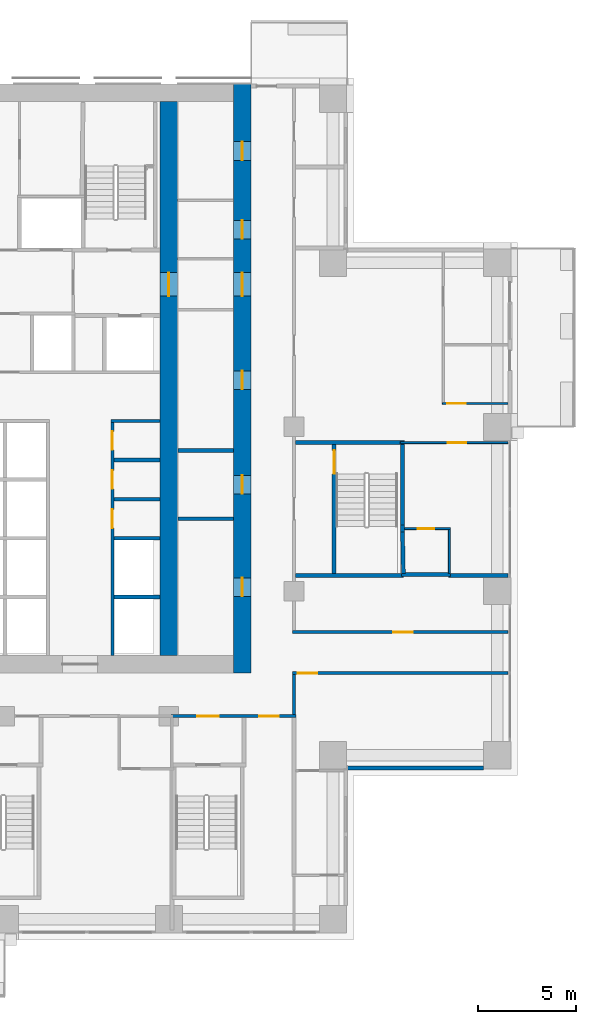
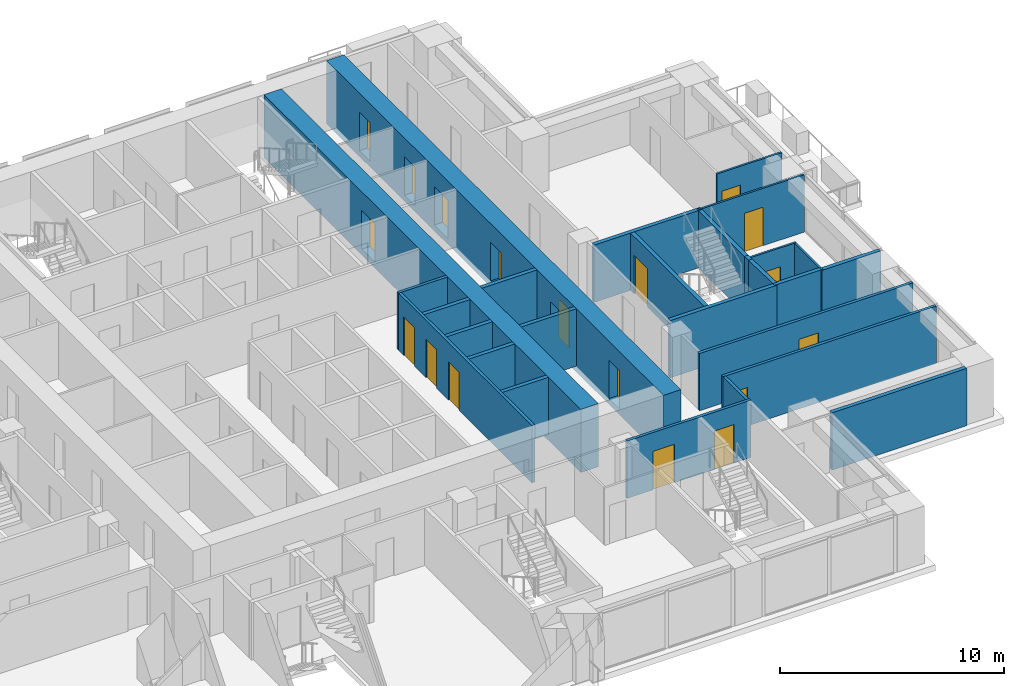
# One storey, part 9 of 16: 27 walls, 18 doors, 18 openings.
"""IFC4 building model written with IfcOpenShell, lengths in metres."""

from ifc_helpers import new_model, si_unit, direction, frame, frame_2d, origin, place, context, subcontext, project, spatial, rectangle, extrude, material, layer, layer_set, type_object, element, fill, save


model = new_model("IFC4")

# Units and contexts
model_context = context("Model", 3, precision=1e-05, world=origin(), true_north=direction((0.0, 1.0)))
body_context = subcontext(model_context, "Body", "Model", "MODEL_VIEW")
ifc_project = project(units=[si_unit("LENGTHUNIT", "METRE"), si_unit("AREAUNIT", "SQUARE_METRE"), si_unit("VOLUMEUNIT", "CUBIC_METRE"), si_unit("PLANEANGLEUNIT", "RADIAN"), si_unit("MASSUNIT", "GRAM", prefix="KILO")], contexts=[model_context])

# Site, building, storey
site_placement = place(None, origin())
site = spatial("IfcSite", under=ifc_project, at=site_placement, CompositionType="ELEMENT")
building_placement = place(site_placement, origin())
building = spatial("IfcBuilding", under=site, at=building_placement, Name="Vermilion Ogive Tower", CompositionType="ELEMENT")
storey_placement = place(building_placement, frame((0.0, 0.0, 44.85009765625)))
storey = spatial("IfcBuildingStorey", under=building, at=storey_placement, Name="L09", CompositionType="ELEMENT", Elevation=44.85009765625)

# Wall, openings, doors
ifc_material_1 = material(Name="Concrete B80", Category="concrete")
ifc_layer_1 = layer(ifc_material_1, 0.89990234375)
ifc_layer_set_1 = layer_set([ifc_layer_1], Name="Core wall 900 B80")
wall_type_1 = type_object("IfcWallType", Name="Core wall 900 B80", PredefinedType="SHEAR", material=ifc_layer_set_1)
wall_1_placement = place(storey_placement, frame((12.14990234375, -8.39990234375, -0.320068359375), z_axis=(0.0, 0.0, 1.0), x_axis=(0.0, 1.0, 0.0)))
wall_1 = element("IfcWall", 1, at=wall_1_placement, inside=storey, type_object=wall_type_1, Name="L09-CORE-E", PredefinedType="SHEAR", context=body_context, shape_type="SweptSolid", body=[
    extrude(rectangle(XDim=30.14990234375, YDim=0.89990234375, at=frame_2d((15.074951171875, 0.0))), origin(), (0.0, 0.0, 1.0), 3.449951171875),
])
opening_1_placement = place(wall_1_placement, frame((3.925048828125, 0.0, 0.320068359375)))
opening_1 = element("IfcOpeningElement", 2, at=opening_1_placement, cuts=wall_1, Name="Opening DAC007", PredefinedType="OPENING", context=body_context, shape_type="SweptSolid", body=[
    extrude(rectangle(XDim=0.949951171875, YDim=2.10009765625, at=frame_2d((0.47509765625, 1.050048828125))), frame((0.0, 0.4599609375, 0.0), z_axis=(0.0, -1.0, 0.0), x_axis=(1.0, 0.0, 0.0)), (0.0, 0.0, 1.0), 0.919921875),
])
opening_2_placement = place(wall_1_placement, frame((9.175048828125, 0.0, 0.320068359375)))
opening_2 = element("IfcOpeningElement", 3, at=opening_2_placement, cuts=wall_1, Name="Opening DAC008", PredefinedType="OPENING", context=body_context, shape_type="SweptSolid", body=[
    extrude(rectangle(XDim=0.949951171875, YDim=2.10009765625, at=frame_2d((0.47509765625, 1.050048828125))), frame((0.0, 0.4599609375, 0.0), z_axis=(0.0, -1.0, 0.0), x_axis=(1.0, 0.0, 0.0)), (0.0, 0.0, 1.0), 0.919921875),
])
opening_3_placement = place(wall_1_placement, frame((14.52490234375, 0.0, 0.320068359375)))
opening_3 = element("IfcOpeningElement", 4, at=opening_3_placement, cuts=wall_1, Name="Opening DAC009", PredefinedType="OPENING", context=body_context, shape_type="SweptSolid", body=[
    extrude(rectangle(XDim=0.949951171875, YDim=2.10009765625, at=frame_2d((0.47509765625, 1.050048828125))), frame((0.0, 0.4599609375, 0.0), z_axis=(0.0, -1.0, 0.0), x_axis=(1.0, 0.0, 0.0)), (0.0, 0.0, 1.0), 0.919921875),
])
opening_4_placement = place(wall_1_placement, frame((22.22509765625, 0.0, 0.320068359375)))
opening_4 = element("IfcOpeningElement", 5, at=opening_4_placement, cuts=wall_1, Name="Opening DAC010", PredefinedType="OPENING", context=body_context, shape_type="SweptSolid", body=[
    extrude(rectangle(XDim=0.949951171875, YDim=2.10009765625, at=frame_2d((0.47509765625, 1.050048828125))), frame((0.0, 0.4599609375, 0.0), z_axis=(0.0, -1.0, 0.0), x_axis=(1.0, 0.0, 0.0)), (0.0, 0.0, 1.0), 0.919921875),
])
opening_5_placement = place(wall_1_placement, frame((26.25, 0.0, 0.320068359375)))
opening_5 = element("IfcOpeningElement", 6, at=opening_5_placement, cuts=wall_1, Name="Opening DAC011", PredefinedType="OPENING", context=body_context, shape_type="SweptSolid", body=[
    extrude(rectangle(XDim=0.949951171875, YDim=2.10009765625, at=frame_2d((0.47509765625, 1.050048828125))), frame((0.0, 0.4599609375, 0.0), z_axis=(0.0, -1.0, 0.0), x_axis=(1.0, 0.0, 0.0)), (0.0, 0.0, 1.0), 0.919921875),
])
opening_6_placement = place(wall_1_placement, frame((19.300048828125, 0.0, 0.320068359375)))
opening_6 = element("IfcOpeningElement", 7, at=opening_6_placement, cuts=wall_1, Name="Opening DAL002", PredefinedType="OPENING", context=body_context, shape_type="SweptSolid", body=[
    extrude(rectangle(XDim=1.199951171875, YDim=2.10009765625, at=frame_2d((0.60009765625, 1.050048828125))), frame((0.0, 0.4599609375, 0.0), z_axis=(0.0, -1.0, 0.0), x_axis=(1.0, 0.0, 0.0)), (0.0, 0.0, 1.0), 0.919921875),
])
ifc_material_2 = material(Name="Timber door leaf", Category="wood")
door_type_1 = type_object("IfcDoorType", Name="Link door 1200 x 2100 FD60S", OperationType="SINGLE_SWING_LEFT", PredefinedType="DOOR", material=ifc_material_2)
door_1_placement = place(opening_6_placement, origin())
door_1 = element("IfcDoor", 8, at=door_1_placement, inside=storey, type_object=door_type_1, Name="L09-CKE-XL", OperationType="SINGLE_SWING_LEFT", OverallHeight=2.10009765625, OverallWidth=1.199951171875, PredefinedType="DOOR", context=body_context, shape_type="SweptSolid", body=[
    extrude(rectangle(XDim=1.199951171875, YDim=2.10009765625, at=frame_2d((0.60009765625, 1.050048828125))), frame((0.0, 0.02490234375, 0.0), z_axis=(0.0, -1.0, 0.0), x_axis=(1.0, 0.0, 0.0)), (0.0, 0.0, 1.0), 0.050048828125),
])
fill(opening_6, door_1)
ifc_material_3 = material(Name="Timber door leaf", Category="wood")
door_type_2 = type_object("IfcDoorType", Name="Service door 950 x 2100 FD60", OperationType="SINGLE_SWING_LEFT", PredefinedType="DOOR", material=ifc_material_3)
door_2_placement = place(opening_1_placement, origin())
door_2 = element("IfcDoor", 9, at=door_2_placement, inside=storey, type_object=door_type_2, Name="L09-CKE-XR0", OperationType="SINGLE_SWING_LEFT", OverallHeight=2.10009765625, OverallWidth=0.949951171875, PredefinedType="DOOR", context=body_context, shape_type="SweptSolid", body=[
    extrude(rectangle(XDim=0.949951171875, YDim=2.10009765625, at=frame_2d((0.47509765625, 1.050048828125))), frame((0.0, 0.02490234375, 0.0), z_axis=(0.0, -1.0, 0.0), x_axis=(1.0, 0.0, 0.0)), (0.0, 0.0, 1.0), 0.050048828125),
])
fill(opening_1, door_2)
door_3_placement = place(opening_2_placement, origin())
door_3 = element("IfcDoor", 10, at=door_3_placement, inside=storey, type_object=door_type_2, Name="L09-CKE-XR1", OperationType="SINGLE_SWING_LEFT", OverallHeight=2.10009765625, OverallWidth=0.949951171875, PredefinedType="DOOR", context=body_context, shape_type="SweptSolid", body=[
    extrude(rectangle(XDim=0.949951171875, YDim=2.10009765625, at=frame_2d((0.47509765625, 1.050048828125))), frame((0.0, 0.02490234375, 0.0), z_axis=(0.0, -1.0, 0.0), x_axis=(1.0, 0.0, 0.0)), (0.0, 0.0, 1.0), 0.050048828125),
])
fill(opening_2, door_3)
door_4_placement = place(opening_3_placement, origin())
door_4 = element("IfcDoor", 11, at=door_4_placement, inside=storey, type_object=door_type_2, Name="L09-CKE-XR2", OperationType="SINGLE_SWING_LEFT", OverallHeight=2.10009765625, OverallWidth=0.949951171875, PredefinedType="DOOR", context=body_context, shape_type="SweptSolid", body=[
    extrude(rectangle(XDim=0.949951171875, YDim=2.10009765625, at=frame_2d((0.47509765625, 1.050048828125))), frame((0.0, 0.02490234375, 0.0), z_axis=(0.0, -1.0, 0.0), x_axis=(1.0, 0.0, 0.0)), (0.0, 0.0, 1.0), 0.050048828125),
])
fill(opening_3, door_4)
door_5_placement = place(opening_4_placement, origin())
door_5 = element("IfcDoor", 12, at=door_5_placement, inside=storey, type_object=door_type_2, Name="L09-CKE-XR3", OperationType="SINGLE_SWING_LEFT", OverallHeight=2.10009765625, OverallWidth=0.949951171875, PredefinedType="DOOR", context=body_context, shape_type="SweptSolid", body=[
    extrude(rectangle(XDim=0.949951171875, YDim=2.10009765625, at=frame_2d((0.47509765625, 1.050048828125))), frame((0.0, 0.02490234375, 0.0), z_axis=(0.0, -1.0, 0.0), x_axis=(1.0, 0.0, 0.0)), (0.0, 0.0, 1.0), 0.050048828125),
])
fill(opening_4, door_5)
door_6_placement = place(opening_5_placement, origin())
door_6 = element("IfcDoor", 13, at=door_6_placement, inside=storey, type_object=door_type_2, Name="L09-CKE-XR4", OperationType="SINGLE_SWING_LEFT", OverallHeight=2.10009765625, OverallWidth=0.949951171875, PredefinedType="DOOR", context=body_context, shape_type="SweptSolid", body=[
    extrude(rectangle(XDim=0.949951171875, YDim=2.10009765625, at=frame_2d((0.47509765625, 1.050048828125))), frame((0.0, 0.02490234375, 0.0), z_axis=(0.0, -1.0, 0.0), x_axis=(1.0, 0.0, 0.0)), (0.0, 0.0, 1.0), 0.050048828125),
])
fill(opening_5, door_6)

# Wall, opening, door
wall_2_placement = place(storey_placement, frame((8.39990234375, -7.5, -0.320068359375), z_axis=(0.0, 0.0, 1.0), x_axis=(0.0, 1.0, 0.0)))
wall_2 = element("IfcWall", 14, at=wall_2_placement, inside=storey, type_object=wall_type_1, Name="L09-CORE-WEB2", PredefinedType="SHEAR", context=body_context, shape_type="SweptSolid", body=[
    extrude(rectangle(XDim=28.35009765625, YDim=0.89990234375, at=frame_2d((14.175048828125, 0.0))), origin(), (0.0, 0.0, 1.0), 3.449951171875),
])
opening_7_placement = place(wall_2_placement, frame((18.39990234375, 0.0, 0.320068359375)))
opening_7 = element("IfcOpeningElement", 15, at=opening_7_placement, cuts=wall_2, Name="Opening DAO002", PredefinedType="OPENING", context=body_context, shape_type="SweptSolid", body=[
    extrude(rectangle(XDim=1.199951171875, YDim=2.10009765625, at=frame_2d((0.60009765625, 1.050048828125))), frame((0.0, 0.4599609375, 0.0), z_axis=(0.0, -1.0, 0.0), x_axis=(1.0, 0.0, 0.0)), (0.0, 0.0, 1.0), 0.919921875),
])
door_7_placement = place(opening_7_placement, origin())
door_7 = element("IfcDoor", 16, at=door_7_placement, inside=storey, type_object=door_type_1, Name="L09-CKE-XW", OperationType="SINGLE_SWING_LEFT", OverallHeight=2.10009765625, OverallWidth=1.199951171875, PredefinedType="DOOR", context=body_context, shape_type="SweptSolid", body=[
    extrude(rectangle(XDim=1.199951171875, YDim=2.10009765625, at=frame_2d((0.60009765625, 1.050048828125))), frame((0.0, 0.02490234375, 0.0), z_axis=(0.0, -1.0, 0.0), x_axis=(1.0, 0.0, 0.0)), (0.0, 0.0, 1.0), 0.050048828125),
])
fill(opening_7, door_7)

ifc_material_4 = material(Name="Gypsum board partition on steel studs", Category="steel")
ifc_layer_2 = layer(ifc_material_4, 0.10009765625)
ifc_layer_set_2 = layer_set([ifc_layer_2], Name="Partition 100 bath")
wall_type_2 = type_object("IfcWallType", Name="Partition 100 bath", PredefinedType="PARTITIONING", material=ifc_layer_set_2)
wall_3_placement = place(storey_placement, frame((20.449951171875, -1.0, 0.0), z_axis=(0.0, 0.0, 1.0), x_axis=(1.0, 0.0, 0.0)))
wall_3 = element("IfcWall", 17, at=wall_3_placement, inside=storey, type_object=wall_type_2, Name="L09-W-W027", PredefinedType="PARTITIONING", context=body_context, shape_type="SweptSolid", body=[
    extrude(rectangle(XDim=2.35009765625, YDim=0.10009765625, at=frame_2d((1.175048828125, 0.0))), origin(), (0.0, 0.0, 1.0), 3.1298828125),
])
opening_8_placement = place(wall_3_placement, frame((0.675048828125, 0.0, 0.0)))
opening_8 = element("IfcOpeningElement", 18, at=opening_8_placement, cuts=wall_3, Name="Opening D1G2022", PredefinedType="OPENING", context=body_context, shape_type="SweptSolid", body=[
    extrude(rectangle(XDim=0.85009765625, YDim=2.10009765625, at=frame_2d((0.425048828125, 1.050048828125))), frame((0.0, 0.06005859375, 0.0), z_axis=(0.0, -1.0, 0.0), x_axis=(1.0, 0.0, 0.0)), (0.0, 0.0, 1.0), 0.1201171875),
])
ifc_material_5 = material(Name="Timber door leaf", Category="wood")
door_type_3 = type_object("IfcDoorType", Name="Bath door 850 x 2100 FD30", OperationType="SINGLE_SWING_LEFT", PredefinedType="DOOR", material=ifc_material_5)
door_8_placement = place(opening_8_placement, origin())
door_8 = element("IfcDoor", 19, at=door_8_placement, inside=storey, type_object=door_type_3, Name="L09-D-D022", OperationType="SINGLE_SWING_RIGHT", OverallHeight=2.10009765625, OverallWidth=0.85009765625, PredefinedType="DOOR", context=body_context, shape_type="SweptSolid", body=[
    extrude(rectangle(XDim=0.85009765625, YDim=2.10009765625, at=frame_2d((0.425048828125, 1.050048828125))), frame((0.0, 0.02490234375, 0.0), z_axis=(0.0, -1.0, 0.0), x_axis=(1.0, 0.0, 0.0)), (0.0, 0.0, 1.0), 0.050048828125),
])
fill(opening_8, door_8)

# Wall
wall_4_placement = place(storey_placement, frame((22.75, -3.300048828125, 0.0), z_axis=(0.0, 0.0, 1.0), x_axis=(0.0, 1.0, 0.0)))
element("IfcWall", 20, at=wall_4_placement, inside=storey, type_object=wall_type_2, Name="L09-W-W073", PredefinedType="PARTITIONING", context=body_context, shape_type="SweptSolid", body=[
    extrude(rectangle(XDim=2.25, YDim=0.10009765625, at=frame_2d((1.125, 0.0))), origin(), (0.0, 0.0, 1.0), 3.1298828125),
])

# Wall, opening, door
ifc_material_6 = material(Name="Gypsum board partition on steel studs", Category="steel")
ifc_layer_3 = layer(ifc_material_6, 0.10009765625)
ifc_layer_set_3 = layer_set([ifc_layer_3], Name="Partition 100 inner")
wall_type_3 = type_object("IfcWallType", Name="Partition 100 inner", PredefinedType="PARTITIONING", material=ifc_layer_set_3)
wall_5_placement = place(storey_placement, frame((20.25, 3.39990234375, 0.0), z_axis=(0.0, 0.0, 1.0), x_axis=(1.0, 0.0, 0.0)))
wall_5 = element("IfcWall", 21, at=wall_5_placement, inside=storey, type_object=wall_type_3, Name="L09-W-W032", PredefinedType="PARTITIONING", context=body_context, shape_type="SweptSolid", body=[
    extrude(rectangle(XDim=5.5, YDim=0.10009765625, at=frame_2d((2.75, 0.0))), origin(), (0.0, 0.0, 1.0), 3.1298828125),
])
opening_9_placement = place(wall_5_placement, frame((2.425048828125, 0.0, 0.0)))
opening_9 = element("IfcOpeningElement", 22, at=opening_9_placement, cuts=wall_5, Name="Opening D1G2021", PredefinedType="OPENING", context=body_context, shape_type="SweptSolid", body=[
    extrude(rectangle(XDim=0.949951171875, YDim=2.10009765625, at=frame_2d((0.47509765625, 1.050048828125))), frame((0.0, 0.06005859375, 0.0), z_axis=(0.0, -1.0, 0.0), x_axis=(1.0, 0.0, 0.0)), (0.0, 0.0, 1.0), 0.1201171875),
])
ifc_material_7 = material(Name="Timber door leaf", Category="wood")
door_type_4 = type_object("IfcDoorType", Name="Inner door 950 x 2100 FD30", OperationType="SINGLE_SWING_LEFT", PredefinedType="DOOR", material=ifc_material_7)
door_9_placement = place(opening_9_placement, origin())
door_9 = element("IfcDoor", 23, at=door_9_placement, inside=storey, type_object=door_type_4, Name="L09-D-D021", OperationType="SINGLE_SWING_LEFT", OverallHeight=2.10009765625, OverallWidth=0.949951171875, PredefinedType="DOOR", context=body_context, shape_type="SweptSolid", body=[
    extrude(rectangle(XDim=0.949951171875, YDim=2.10009765625, at=frame_2d((0.47509765625, 1.050048828125))), frame((0.0, 0.02490234375, 0.0), z_axis=(0.0, -1.0, 0.0), x_axis=(1.0, 0.0, 0.0)), (0.0, 0.0, 1.0), 0.050048828125),
])
fill(opening_9, door_9)

wall_6_placement = place(storey_placement, frame((22.39990234375, 5.39990234375, 0.0), z_axis=(0.0, 0.0, 1.0), x_axis=(1.0, 0.0, 0.0)))
wall_6 = element("IfcWall", 24, at=wall_6_placement, inside=storey, type_object=wall_type_3, Name="L09-W-W034", PredefinedType="PARTITIONING", context=body_context, shape_type="SweptSolid", body=[
    extrude(rectangle(XDim=3.35009765625, YDim=0.10009765625, at=frame_2d((1.675048828125, 0.0))), origin(), (0.0, 0.0, 1.0), 3.1298828125),
])
opening_10_placement = place(wall_6_placement, frame((0.25, 0.0, 0.0)))
opening_10 = element("IfcOpeningElement", 25, at=opening_10_placement, cuts=wall_6, Name="Opening D1G2018", PredefinedType="OPENING", context=body_context, shape_type="SweptSolid", body=[
    extrude(rectangle(XDim=0.949951171875, YDim=2.10009765625, at=frame_2d((0.47509765625, 1.050048828125))), frame((0.0, 0.06005859375, 0.0), z_axis=(0.0, -1.0, 0.0), x_axis=(1.0, 0.0, 0.0)), (0.0, 0.0, 1.0), 0.1201171875),
])
door_10_placement = place(opening_10_placement, origin())
door_10 = element("IfcDoor", 26, at=door_10_placement, inside=storey, type_object=door_type_4, Name="L09-D-D018", OperationType="SINGLE_SWING_LEFT", OverallHeight=2.10009765625, OverallWidth=0.949951171875, PredefinedType="DOOR", context=body_context, shape_type="SweptSolid", body=[
    extrude(rectangle(XDim=0.949951171875, YDim=2.10009765625, at=frame_2d((0.47509765625, 1.050048828125))), frame((0.0, 0.02490234375, 0.0), z_axis=(0.0, -1.0, 0.0), x_axis=(1.0, 0.0, 0.0)), (0.0, 0.0, 1.0), 0.050048828125),
])
fill(opening_10, door_10)

# Wall, openings, doors
ifc_material_8 = material(Name="Gypsum board partition on steel studs", Category="steel")
ifc_layer_4 = layer(ifc_material_8, 0.14990234375)
ifc_layer_set_4 = layer_set([ifc_layer_4], Name="Partition 150 corridor")
wall_type_4 = type_object("IfcWallType", Name="Partition 150 corridor", PredefinedType="PARTITIONING", material=ifc_layer_set_4)
wall_7_placement = place(storey_placement, frame((8.5, -10.60009765625, 0.0), z_axis=(0.0, 0.0, 1.0), x_axis=(1.0, 0.0, 0.0)))
wall_7 = element("IfcWall", 27, at=wall_7_placement, inside=storey, type_object=wall_type_4, Name="L09-W-W017", PredefinedType="PARTITIONING", context=body_context, shape_type="SweptSolid", body=[
    extrude(rectangle(XDim=6.39990234375, YDim=0.14990234375, at=frame_2d((3.199951171875, 0.0))), origin(), (0.0, 0.0, 1.0), 3.1298828125),
])
opening_11_placement = place(wall_7_placement, frame((1.35009765625, 0.0, 0.0)))
opening_11 = element("IfcOpeningElement", 28, at=opening_11_placement, cuts=wall_7, Name="Opening D1G2029", PredefinedType="OPENING", context=body_context, shape_type="SweptSolid", body=[
    extrude(rectangle(XDim=1.10009765625, YDim=2.10009765625, at=frame_2d((0.550048828125, 1.050048828125))), frame((0.0, 0.0849609375, 0.0), z_axis=(0.0, -1.0, 0.0), x_axis=(1.0, 0.0, 0.0)), (0.0, 0.0, 1.0), 0.169921875),
])
opening_12_placement = place(wall_7_placement, frame((4.52490234375, 0.0, 0.0)))
opening_12 = element("IfcOpeningElement", 29, at=opening_12_placement, cuts=wall_7, Name="Opening D1G2036", PredefinedType="OPENING", context=body_context, shape_type="SweptSolid", body=[
    extrude(rectangle(XDim=1.0, YDim=2.10009765625, at=frame_2d((0.5, 1.050048828125))), frame((0.0, 0.0849609375, 0.0), z_axis=(0.0, -1.0, 0.0), x_axis=(1.0, 0.0, 0.0)), (0.0, 0.0, 1.0), 0.169921875),
])
ifc_material_9 = material(Name="Timber door leaf", Category="wood")
door_type_5 = type_object("IfcDoorType", Name="Stair door 1100 x 2100 FD60S", OperationType="SINGLE_SWING_LEFT", PredefinedType="DOOR", material=ifc_material_9)
door_11_placement = place(opening_11_placement, origin())
door_11 = element("IfcDoor", 30, at=door_11_placement, inside=storey, type_object=door_type_5, Name="L09-D-D029", OperationType="SINGLE_SWING_RIGHT", OverallHeight=2.10009765625, OverallWidth=1.10009765625, PredefinedType="DOOR", context=body_context, shape_type="SweptSolid", body=[
    extrude(rectangle(XDim=1.10009765625, YDim=2.10009765625, at=frame_2d((0.550048828125, 1.050048828125))), frame((0.0, 0.02490234375, 0.0), z_axis=(0.0, -1.0, 0.0), x_axis=(1.0, 0.0, 0.0)), (0.0, 0.0, 1.0), 0.050048828125),
])
fill(opening_11, door_11)
ifc_material_10 = material(Name="Timber door leaf", Category="wood")
door_type_6 = type_object("IfcDoorType", Name="Unit door 1000 x 2100 FD30S", OperationType="SINGLE_SWING_LEFT", PredefinedType="DOOR", material=ifc_material_10)
door_12_placement = place(opening_12_placement, origin())
door_12 = element("IfcDoor", 31, at=door_12_placement, inside=storey, type_object=door_type_6, Name="L09-D-D036", OperationType="SINGLE_SWING_RIGHT", OverallHeight=2.10009765625, OverallWidth=1.0, PredefinedType="DOOR", context=body_context, shape_type="SweptSolid", body=[
    extrude(rectangle(XDim=1.0, YDim=2.10009765625, at=frame_2d((0.5, 1.050048828125))), frame((0.0, 0.02490234375, 0.0), z_axis=(0.0, -1.0, 0.0), x_axis=(1.0, 0.0, 0.0)), (0.0, 0.0, 1.0), 0.050048828125),
])
fill(opening_12, door_12)

# Wall, opening, door
wall_8_placement = place(storey_placement, frame((14.72509765625, -8.39990234375, 0.0), z_axis=(0.0, 0.0, 1.0), x_axis=(1.0, 0.0, 0.0)))
wall_8 = element("IfcWall", 32, at=wall_8_placement, inside=storey, type_object=wall_type_4, Name="L09-W-W019", PredefinedType="PARTITIONING", context=body_context, shape_type="SweptSolid", body=[
    extrude(rectangle(XDim=11.02490234375, YDim=0.14990234375, at=frame_2d((5.512451171875, 0.0))), origin(), (0.0, 0.0, 1.0), 3.1298828125),
])
opening_13_placement = place(wall_8_placement, frame((0.27490234375, 0.0, 0.0)))
opening_13 = element("IfcOpeningElement", 33, at=opening_13_placement, cuts=wall_8, Name="Opening D1G2015", PredefinedType="OPENING", context=body_context, shape_type="SweptSolid", body=[
    extrude(rectangle(XDim=1.0, YDim=2.10009765625, at=frame_2d((0.5, 1.050048828125))), frame((0.0, 0.0849609375, 0.0), z_axis=(0.0, -1.0, 0.0), x_axis=(1.0, 0.0, 0.0)), (0.0, 0.0, 1.0), 0.169921875),
])
door_13_placement = place(opening_13_placement, origin())
door_13 = element("IfcDoor", 34, at=door_13_placement, inside=storey, type_object=door_type_6, Name="L09-D-D015", OperationType="SINGLE_SWING_RIGHT", OverallHeight=2.10009765625, OverallWidth=1.0, PredefinedType="DOOR", context=body_context, shape_type="SweptSolid", body=[
    extrude(rectangle(XDim=1.0, YDim=2.10009765625, at=frame_2d((0.5, 1.050048828125))), frame((0.0, 0.02490234375, 0.0), z_axis=(0.0, -1.0, 0.0), x_axis=(1.0, 0.0, 0.0)), (0.0, 0.0, 1.0), 0.050048828125),
])
fill(opening_13, door_13)

wall_9_placement = place(storey_placement, frame((14.72509765625, -6.300048828125, 0.0), z_axis=(0.0, 0.0, 1.0), x_axis=(1.0, 0.0, 0.0)))
wall_9 = element("IfcWall", 35, at=wall_9_placement, inside=storey, type_object=wall_type_4, Name="L09-W-W021", PredefinedType="PARTITIONING", context=body_context, shape_type="SweptSolid", body=[
    extrude(rectangle(XDim=11.02490234375, YDim=0.14990234375, at=frame_2d((5.512451171875, 0.0))), origin(), (0.0, 0.0, 1.0), 3.1298828125),
])
opening_14_placement = place(wall_9_placement, frame((5.14990234375, 0.0, 0.0)))
opening_14 = element("IfcOpeningElement", 36, at=opening_14_placement, cuts=wall_9, Name="Opening D1G2038", PredefinedType="OPENING", context=body_context, shape_type="SweptSolid", body=[
    extrude(rectangle(XDim=1.0, YDim=2.10009765625, at=frame_2d((0.5, 1.050048828125))), frame((0.0, 0.0849609375, 0.0), z_axis=(0.0, -1.0, 0.0), x_axis=(1.0, 0.0, 0.0)), (0.0, 0.0, 1.0), 0.169921875),
])
door_14_placement = place(opening_14_placement, origin())
door_14 = element("IfcDoor", 37, at=door_14_placement, inside=storey, type_object=door_type_6, Name="L09-D-D038", OperationType="SINGLE_SWING_RIGHT", OverallHeight=2.10009765625, OverallWidth=1.0, PredefinedType="DOOR", context=body_context, shape_type="SweptSolid", body=[
    extrude(rectangle(XDim=1.0, YDim=2.10009765625, at=frame_2d((0.5, 1.050048828125))), frame((0.0, 0.02490234375, 0.0), z_axis=(0.0, -1.0, 0.0), x_axis=(1.0, 0.0, 0.0)), (0.0, 0.0, 1.0), 0.050048828125),
])
fill(opening_14, door_14)

# Walls
wall_10_placement = place(storey_placement, frame((14.800048828125, -10.52490234375, 0.0), z_axis=(0.0, 0.0, 1.0), x_axis=(0.0, 1.0, 0.0)))
element("IfcWall", 38, at=wall_10_placement, inside=storey, type_object=wall_type_4, Name="L09-W-W067", PredefinedType="PARTITIONING", context=body_context, shape_type="SweptSolid", body=[
    extrude(rectangle(XDim=2.0498046875, YDim=0.14990234375, at=frame_2d((1.02490234375, 0.0))), origin(), (0.0, 0.0, 1.0), 3.1298828125),
])
wall_11_placement = place(storey_placement, frame((5.425048828125, 4.5, 0.0), z_axis=(0.0, 0.0, 1.0), x_axis=(1.0, 0.0, 0.0)))
element("IfcWall", 39, at=wall_11_placement, inside=storey, type_object=wall_type_4, Name="L09-CK-W-W013", PredefinedType="PARTITIONING", context=body_context, shape_type="SweptSolid", body=[
    extrude(rectangle(XDim=2.52392578125, YDim=0.14990234375, at=frame_2d((1.261962890625, 0.0))), origin(), (0.0, 0.0, 1.0), 3.1298828125),
])

# Wall, openings, doors
wall_12_placement = place(storey_placement, frame((5.5, -7.4990234375, 0.0), z_axis=(0.0, 0.0, 1.0), x_axis=(0.0, 1.0, 0.0)))
wall_12 = element("IfcWall", 40, at=wall_12_placement, inside=storey, type_object=wall_type_4, Name="L09-CK-W-W041", PredefinedType="PARTITIONING", context=body_context, shape_type="SweptSolid", body=[
    extrude(rectangle(XDim=11.924072265625, YDim=0.14990234375, at=frame_2d((5.9619140625, 0.0))), origin(), (0.0, 0.0, 1.0), 3.1298828125),
])
opening_15_placement = place(wall_12_placement, frame((6.52392578125, 0.0, 0.0)))
opening_15 = element("IfcOpeningElement", 41, at=opening_15_placement, cuts=wall_12, Name="Opening DAA027", PredefinedType="OPENING", context=body_context, shape_type="SweptSolid", body=[
    extrude(rectangle(XDim=0.949951171875, YDim=2.10009765625, at=frame_2d((0.47509765625, 1.050048828125))), frame((0.0, 0.0849609375, 0.0), z_axis=(0.0, -1.0, 0.0), x_axis=(1.0, 0.0, 0.0)), (0.0, 0.0, 1.0), 0.169921875),
])
opening_16_placement = place(wall_12_placement, frame((8.52392578125, 0.0, 0.0)))
opening_16 = element("IfcOpeningElement", 42, at=opening_16_placement, cuts=wall_12, Name="Opening DAA028", PredefinedType="OPENING", context=body_context, shape_type="SweptSolid", body=[
    extrude(rectangle(XDim=0.949951171875, YDim=2.10009765625, at=frame_2d((0.47509765625, 1.050048828125))), frame((0.0, 0.0849609375, 0.0), z_axis=(0.0, -1.0, 0.0), x_axis=(1.0, 0.0, 0.0)), (0.0, 0.0, 1.0), 0.169921875),
])
opening_17_placement = place(wall_12_placement, frame((10.52392578125, 0.0, 0.0)))
opening_17 = element("IfcOpeningElement", 43, at=opening_17_placement, cuts=wall_12, Name="Opening DAA029", PredefinedType="OPENING", context=body_context, shape_type="SweptSolid", body=[
    extrude(rectangle(XDim=0.949951171875, YDim=2.10009765625, at=frame_2d((0.47509765625, 1.050048828125))), frame((0.0, 0.0849609375, 0.0), z_axis=(0.0, -1.0, 0.0), x_axis=(1.0, 0.0, 0.0)), (0.0, 0.0, 1.0), 0.169921875),
])
door_15_placement = place(opening_15_placement, origin())
door_15 = element("IfcDoor", 44, at=door_15_placement, inside=storey, type_object=door_type_2, Name="L09-CK-D-D009", OperationType="SINGLE_SWING_RIGHT", OverallHeight=2.10009765625, OverallWidth=0.949951171875, PredefinedType="DOOR", context=body_context, shape_type="SweptSolid", body=[
    extrude(rectangle(XDim=0.949951171875, YDim=2.10009765625, at=frame_2d((0.47509765625, 1.050048828125))), frame((0.0, 0.02490234375, 0.0), z_axis=(0.0, -1.0, 0.0), x_axis=(1.0, 0.0, 0.0)), (0.0, 0.0, 1.0), 0.050048828125),
])
fill(opening_15, door_15)
door_16_placement = place(opening_16_placement, origin())
door_16 = element("IfcDoor", 45, at=door_16_placement, inside=storey, type_object=door_type_2, Name="L09-CK-D-D010", OperationType="SINGLE_SWING_LEFT", OverallHeight=2.10009765625, OverallWidth=0.949951171875, PredefinedType="DOOR", context=body_context, shape_type="SweptSolid", body=[
    extrude(rectangle(XDim=0.949951171875, YDim=2.10009765625, at=frame_2d((0.47509765625, 1.050048828125))), frame((0.0, 0.02490234375, 0.0), z_axis=(0.0, -1.0, 0.0), x_axis=(1.0, 0.0, 0.0)), (0.0, 0.0, 1.0), 0.050048828125),
])
fill(opening_16, door_16)
door_17_placement = place(opening_17_placement, origin())
door_17 = element("IfcDoor", 46, at=door_17_placement, inside=storey, type_object=door_type_2, Name="L09-CK-D-D011", OperationType="SINGLE_SWING_RIGHT", OverallHeight=2.10009765625, OverallWidth=0.949951171875, PredefinedType="DOOR", context=body_context, shape_type="SweptSolid", body=[
    extrude(rectangle(XDim=0.949951171875, YDim=2.10009765625, at=frame_2d((0.47509765625, 1.050048828125))), frame((0.0, 0.02490234375, 0.0), z_axis=(0.0, -1.0, 0.0), x_axis=(1.0, 0.0, 0.0)), (0.0, 0.0, 1.0), 0.050048828125),
])
fill(opening_17, door_17)

# Walls
ifc_material_11 = material(Name="Gypsum board partition on steel studs", Category="steel")
ifc_layer_5 = layer(ifc_material_11, 0.199951171875)
ifc_layer_set_5 = layer_set([ifc_layer_5], Name="Partition 200 party")
wall_type_5 = type_object("IfcWallType", Name="Partition 200 party", PredefinedType="PARTITIONING", material=ifc_layer_set_5)
wall_13_placement = place(storey_placement, frame((22.699951171875, -3.39990234375, 0.0), z_axis=(0.0, 0.0, 1.0), x_axis=(1.0, 0.0, 0.0)))
element("IfcWall", 47, at=wall_13_placement, inside=storey, type_object=wall_type_5, Name="L09-W-W026", PredefinedType="PARTITIONING", context=body_context, shape_type="SweptSolid", body=[
    extrude(rectangle(XDim=3.050048828125, YDim=0.199951171875, at=frame_2d((1.52490234375, 0.0))), origin(), (0.0, 0.0, 1.0), 3.1298828125),
])
for number, where, z_axis, x_axis, name in (
    (48, (5.574951171875, -4.5, 0.0), (0.0, 0.0, 1.0), (1.0, 0.0, 0.0), "L09-CK-W-W003"),
    (49, (5.574951171875, -1.5, 0.0), (0.0, 0.0, 1.0), (1.0, 0.0, 0.0), "L09-CK-W-W006"),
    (50, (5.574951171875, 0.5, 0.0), (0.0, 0.0, 1.0), (1.0, 0.0, 0.0), "L09-CK-W-W007"),
    (51, (5.574951171875, 2.5, 0.0), (0.0, 0.0, 1.0), (1.0, 0.0, 0.0), "L09-CK-W-W010"),
):
    element("IfcWall", number, at=place(storey_placement, frame(where, z_axis=z_axis, x_axis=x_axis)), inside=storey, type_object=wall_type_5, Name=name, PredefinedType="PARTITIONING", context=body_context, shape_type="SweptSolid", body=[
        extrude(rectangle(XDim=2.3740234375, YDim=0.199951171875, at=frame_2d((1.18701171875, 0.0))), origin(), (0.0, 0.0, 1.0), 3.1298828125),
    ])
for number, where, z_axis, x_axis, name in (
    (52, (8.85107421875, -0.5, 0.0), (0.0, 0.0, 1.0), (1.0, 0.0, 0.0), "L09-CKE-W-W001"),
    (53, (8.85107421875, 3.0, 0.0), (0.0, 0.0, 1.0), (1.0, 0.0, 0.0), "L09-CKE-W-W002"),
):
    element("IfcWall", number, at=place(storey_placement, frame(where, z_axis=z_axis, x_axis=x_axis)), inside=storey, type_object=wall_type_5, Name=name, PredefinedType="PARTITIONING", context=body_context, shape_type="SweptSolid", body=[
        extrude(rectangle(XDim=2.847900390625, YDim=0.199951171875, at=frame_2d((1.423828125, 0.0))), origin(), (0.0, 0.0, 1.0), 3.1298828125),
    ])
ifc_material_12 = material(Name="Concrete B60", Category="concrete")
ifc_layer_6 = layer(ifc_material_12, 0.199951171875)
ifc_layer_set_6 = layer_set([ifc_layer_6], Name="Stair shaft wall 200 Concrete B60")
wall_type_6 = type_object("IfcWallType", Name="Stair shaft wall 200 Concrete B60", PredefinedType="SOLIDWALL", material=ifc_layer_set_6)
wall_14_placement = place(storey_placement, frame((14.875, -3.39990234375, 0.0), z_axis=(0.0, 0.0, 1.0), x_axis=(1.0, 0.0, 0.0)))
element("IfcWall", 54, at=wall_14_placement, inside=storey, type_object=wall_type_6, Name="L09-W-W024", PredefinedType="SOLIDWALL", context=body_context, shape_type="SweptSolid", body=[
    extrude(rectangle(XDim=5.52490234375, YDim=0.199951171875, at=frame_2d((2.762451171875, 0.0))), origin(), (0.0, 0.0, 1.0), 3.1298828125),
])
wall_15_placement = place(storey_placement, frame((20.300048828125, -3.349853515625, 0.0), z_axis=(0.0, 0.0, 1.0), x_axis=(1.0, 0.0, 0.0)))
element("IfcWall", 55, at=wall_15_placement, inside=storey, type_object=wall_type_6, Name="L09-W-W025", PredefinedType="SOLIDWALL", context=body_context, shape_type="SweptSolid", body=[
    extrude(rectangle(XDim=2.5, YDim=0.199951171875, at=frame_2d((1.25, 0.0))), origin(), (0.0, 0.0, 1.0), 3.1298828125),
])
wall_16_placement = place(storey_placement, frame((14.875, 3.39990234375, 0.0), z_axis=(0.0, 0.0, 1.0), x_axis=(1.0, 0.0, 0.0)))
element("IfcWall", 56, at=wall_16_placement, inside=storey, type_object=wall_type_6, Name="L09-W-W031", PredefinedType="SOLIDWALL", context=body_context, shape_type="SweptSolid", body=[
    extrude(rectangle(XDim=5.574951171875, YDim=0.199951171875, at=frame_2d((2.78759765625, 0.0))), origin(), (0.0, 0.0, 1.0), 3.1298828125),
])

# Wall, opening, door
wall_17_placement = place(storey_placement, frame((16.85009765625, -3.300048828125, 0.0), z_axis=(0.0, 0.0, 1.0), x_axis=(0.0, 1.0, 0.0)))
wall_17 = element("IfcWall", 57, at=wall_17_placement, inside=storey, type_object=wall_type_6, Name="L09-W-W069", PredefinedType="SOLIDWALL", context=body_context, shape_type="SweptSolid", body=[
    extrude(rectangle(XDim=6.60009765625, YDim=0.199951171875, at=frame_2d((3.300048828125, 0.0))), origin(), (0.0, 0.0, 1.0), 3.1298828125),
])
opening_18_placement = place(wall_17_placement, frame((5.10009765625, 0.0, 0.0)))
opening_18 = element("IfcOpeningElement", 58, at=opening_18_placement, cuts=wall_17, Name="Opening D1G2032", PredefinedType="OPENING", context=body_context, shape_type="SweptSolid", body=[
    extrude(rectangle(XDim=1.199951171875, YDim=2.10009765625, at=frame_2d((0.60009765625, 1.050048828125))), frame((0.0, 0.10986328125, 0.0), z_axis=(0.0, -1.0, 0.0), x_axis=(1.0, 0.0, 0.0)), (0.0, 0.0, 1.0), 0.219970703125),
])
ifc_material_13 = material(Name="Timber door leaf", Category="wood")
door_type_7 = type_object("IfcDoorType", Name="Stair door 1200 x 2100 FD60S", OperationType="SINGLE_SWING_LEFT", PredefinedType="DOOR", material=ifc_material_13)
door_18_placement = place(opening_18_placement, origin())
door_18 = element("IfcDoor", 59, at=door_18_placement, inside=storey, type_object=door_type_7, Name="L09-D-D032", OperationType="SINGLE_SWING_LEFT", OverallHeight=2.10009765625, OverallWidth=1.199951171875, PredefinedType="DOOR", context=body_context, shape_type="SweptSolid", body=[
    extrude(rectangle(XDim=1.199951171875, YDim=2.10009765625, at=frame_2d((0.60009765625, 1.050048828125))), frame((0.0, 0.02490234375, 0.0), z_axis=(0.0, -1.0, 0.0), x_axis=(1.0, 0.0, 0.0)), (0.0, 0.0, 1.0), 0.050048828125),
])
fill(opening_18, door_18)

# Walls
wall_18_placement = place(storey_placement, frame((20.400146484375, -3.300048828125, 0.0), z_axis=(0.0, 0.0, 1.0), x_axis=(-0.021771342749, 0.999762976227, 0.0)))
element("IfcWall", 60, at=wall_18_placement, inside=storey, type_object=wall_type_6, Name="L09-W-W070", PredefinedType="SOLIDWALL", context=body_context, shape_type="SweptSolid", body=[
    extrude(rectangle(XDim=2.130615234375, YDim=0.199951171875, at=frame_2d((1.0654296875, 0.0))), origin(), (0.0, 0.0, 1.0), 3.1298828125),
])
wall_19_placement = place(storey_placement, frame((20.35009765625, -0.830078125, 0.0), z_axis=(0.0, 0.0, 1.0), x_axis=(0.0, 1.0, 0.0)))
element("IfcWall", 61, at=wall_19_placement, inside=storey, type_object=wall_type_6, Name="L09-W-W071", PredefinedType="SOLIDWALL", context=body_context, shape_type="SweptSolid", body=[
    extrude(rectangle(XDim=4.130126953125, YDim=0.199951171875, at=frame_2d((2.06494140625, 0.0))), origin(), (0.0, 0.0, 1.0), 3.1298828125),
])
wall_20_placement = place(storey_placement, frame((20.35009765625, -1.169921875, 0.0), z_axis=(0.0, 0.0, 1.0), x_axis=(0.0, 1.0, 0.0)))
element("IfcWall", 62, at=wall_20_placement, inside=storey, type_object=wall_type_6, Name="L09-SW-ST8-E1", PredefinedType="SOLIDWALL", context=body_context, shape_type="SweptSolid", body=[
    extrude(rectangle(XDim=0.33984375, YDim=0.199951171875, at=frame_2d((0.169921875, 0.0))), origin(), (0.0, 0.0, 1.0), 3.1298828125),
])
ifc_material_14 = material(Name="Aluminium window wall framing", Category="aluminium")
ifc_layer_7 = layer(ifc_material_14, 0.199951171875)
ifc_layer_set_7 = layer_set([ifc_layer_7], Name="Window wall")
wall_type_7 = type_object("IfcWallType", Name="Window wall", PredefinedType="STANDARD", material=ifc_layer_set_7)
wall_21_placement = place(storey_placement, frame((17.550048828125, -13.25, 0.0), z_axis=(0.0, 0.0, 1.0), x_axis=(1.0, 0.0, 0.0)))
element("IfcWall", 63, at=wall_21_placement, inside=storey, type_object=wall_type_7, Name="Window wall X21", PredefinedType="STANDARD", context=body_context, shape_type="SweptSolid", body=[
    extrude(rectangle(XDim=6.949951171875, YDim=0.199951171875, at=frame_2d((3.47509765625, 0.0))), origin(), (0.0, 0.0, 1.0), 3.1298828125),
])

save(model, "model.ifc")
